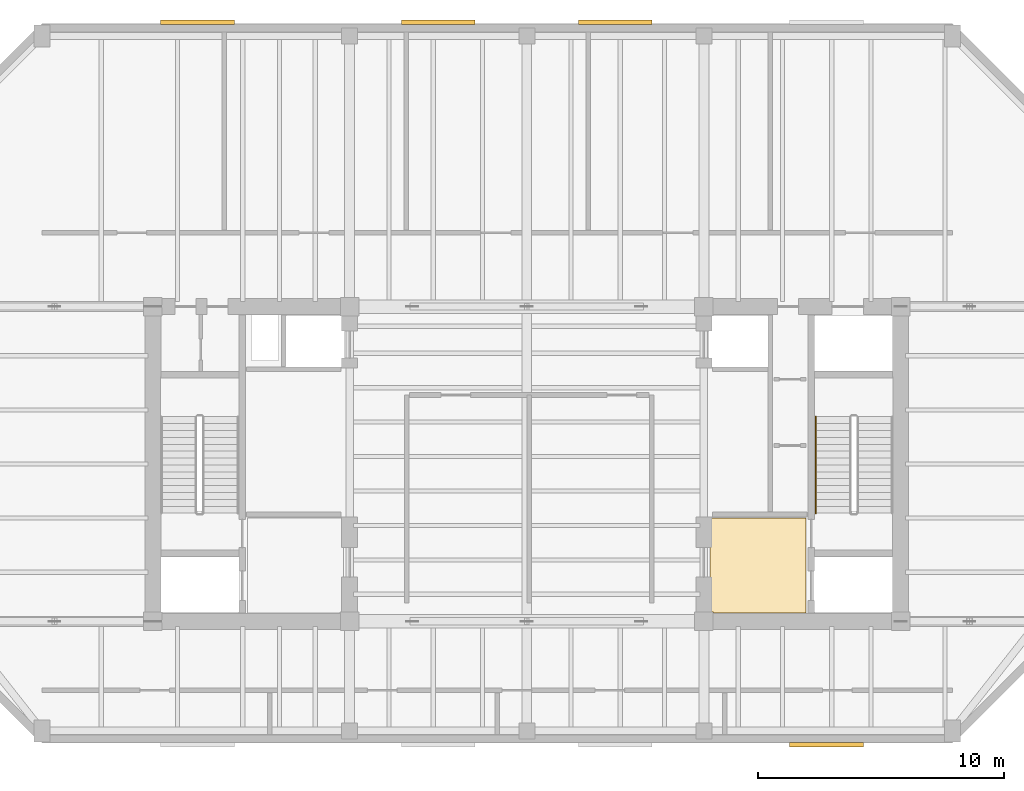
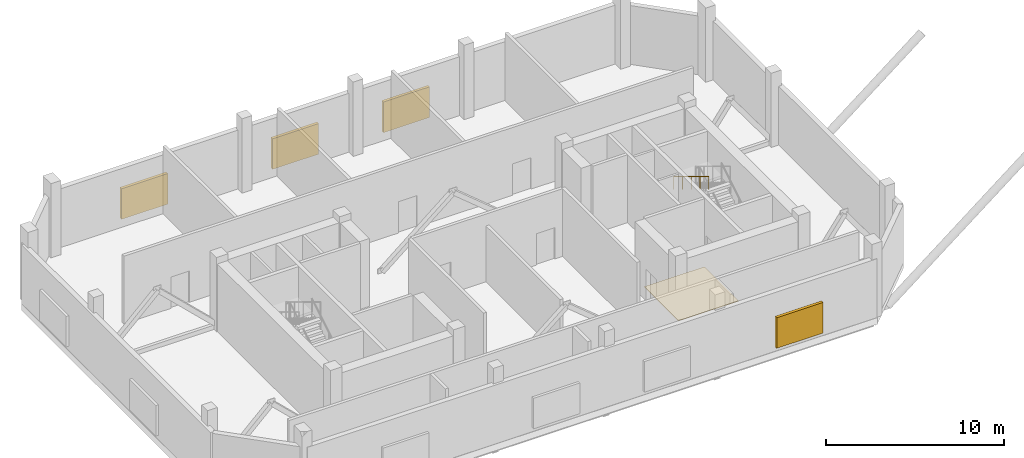
# One storey, part 8 of 9: 4 shading devices, 1 covering, 1 railing.
"""IFC4 building model written with IfcOpenShell, lengths in metres."""

from ifc_helpers import new_model, si_unit, direction, frame, origin, origin_2d, place, context, subcontext, project, spatial, polyline, rectangle, circle, outline, extrude, material, layer, layer_set, type_object, element, save


model = new_model("IFC4")

# Units and contexts
model_context = context("Model", 3, precision=1e-05, world=origin(), true_north=direction((0.0, 1.0)))
body_context = subcontext(model_context, "Body", "Model", "MODEL_VIEW")
ifc_project = project(units=[si_unit("LENGTHUNIT", "METRE"), si_unit("AREAUNIT", "SQUARE_METRE"), si_unit("VOLUMEUNIT", "CUBIC_METRE"), si_unit("PLANEANGLEUNIT", "RADIAN"), si_unit("MASSUNIT", "GRAM", prefix="KILO")], contexts=[model_context])

# Site, building, storey
site_placement = place(None, origin())
site = spatial("IfcSite", under=ifc_project, at=site_placement, CompositionType="ELEMENT")
building_placement = place(site_placement, origin())
building = spatial("IfcBuilding", under=site, at=building_placement, Name="Kranthara Brick Stack", CompositionType="ELEMENT")
storey_placement = place(building_placement, frame((0.0, 0.0, 282.300048828125)))
storey = spatial("IfcBuildingStorey", under=building, at=storey_placement, Name="L75", CompositionType="ELEMENT", Elevation=282.300048828125)

# Covering
ifc_material_1 = material(Name="Honed terrazzo and porcelain floor finish", Category="stone")
ifc_layer = layer(ifc_material_1, 0.030029296875)
ifc_layer_set = layer_set([ifc_layer], Name="Honed terrazzo and porcelain floor finish")
covering_type = type_object("IfcCoveringType", Name="COV-FLOR-STONE", PredefinedType="FLOORING", material=ifc_layer_set)
covering_placement = place(storey_placement, origin())
element("IfcCovering", 1, at=covering_placement, inside=storey, type_object=covering_type, Name="L75 Lift Lobby Stone Flooring", PredefinedType="FLOORING", context=body_context, shape_type="SweptSolid", body=[
    extrude(outline(polyline([(35.449951171875, 25.0), (39.35009765625, 25.0), (39.35009765625, 21.14990234375), (35.5849609375, 21.14990234375), (35.5849609375, 21.18505859375), (35.449951171875, 21.18505859375), (35.449951171875, 25.0)])), origin(), (0.0, 0.0, 1.0), 0.030029296875),
])

# Railing
ifc_material_2 = material(Name="Brushed stainless steel tubular handrail", Category="steel")
railing_type = type_object("IfcRailingType", Name="RL-STAIR-HAND-900", PredefinedType="HANDRAIL", material=ifc_material_2)
railing_placement = place(storey_placement, frame((39.75, 29.1201171875, 2.719970703125)))
element("IfcRailing", 2, at=railing_placement, inside=storey, type_object=railing_type, Name="L75 ST02 stair handrail 2", PredefinedType="HANDRAIL", context=body_context, shape_type="SweptSolid", body=[
    extrude(circle(Radius=0.02392578125, at=origin_2d()), frame((0.0, 0.0, 0.8759765625), z_axis=(0.0, -0.854808600491, 0.518943403973), x_axis=(1.0, 0.0, 0.0)), (0.0, 0.0, 1.0), 4.5859375),
    extrude(circle(Radius=0.02099609375, at=origin_2d()), origin(), (0.0, 0.0, 1.0), 0.851806640625),
    extrude(circle(Radius=0.02099609375, at=origin_2d()), frame((0.0, -0.97998046875, 0.594970703125)), (0.0, 0.0, 1.0), 0.851806640625),
    extrude(circle(Radius=0.02099609375, at=origin_2d()), frame((0.0, -1.9599609375, 1.18994140625)), (0.0, 0.0, 1.0), 0.851806640625),
    extrude(circle(Radius=0.02099609375, at=origin_2d()), frame((0.0, -2.940185546875, 1.784912109375)), (0.0, 0.0, 1.0), 0.851806640625),
    extrude(circle(Radius=0.02099609375, at=origin_2d()), frame((0.0, -3.920166015625, 2.3798828125)), (0.0, 0.0, 1.0), 0.851806640625),
])

# Shading devices
ifc_material_3 = material(Name="Bronze anodised aluminium acoustic louvre", Category="aluminium")
shading_device_type = type_object("IfcShadingDeviceType", Name="SHD-LOUVRE-PLANT", PredefinedType="JALOUSIE", material=ifc_material_3)
for number, where, z_axis, x_axis, name in (
    (3, (40.1875, 15.7900390625, 0.2998046875), (0.0, 0.0, 1.0), (-1.0, 0.0, 0.0), "L75 SOUTH Mechanical Louvre Bank 1"),
    (4, (14.612548828125, 45.159912109375, 0.2998046875), (0.0, 0.0, 1.0), (1.0, 0.0, 0.0), "L75 NORTH Mechanical Louvre Bank 1"),
    (5, (24.39990234375, 45.159912109375, 0.2998046875), (0.0, 0.0, 1.0), (1.0, 0.0, 0.0), "L75 NORTH Mechanical Louvre Bank 2"),
    (6, (31.60009765625, 45.159912109375, 0.2998046875), (0.0, 0.0, 1.0), (1.0, 0.0, 0.0), "L75 NORTH Mechanical Louvre Bank 3"),
):
    element("IfcShadingDevice", number, at=place(storey_placement, frame(where, z_axis=z_axis, x_axis=x_axis)), inside=storey, type_object=shading_device_type, Name=name, PredefinedType="JALOUSIE", context=body_context, shape_type="SweptSolid", body=[
        extrude(rectangle(XDim=3.0, YDim=0.179931640625, at=origin_2d()), origin(), (0.0, 0.0, 1.0), 2.10009765625),
    ])

save(model, "model.ifc")
